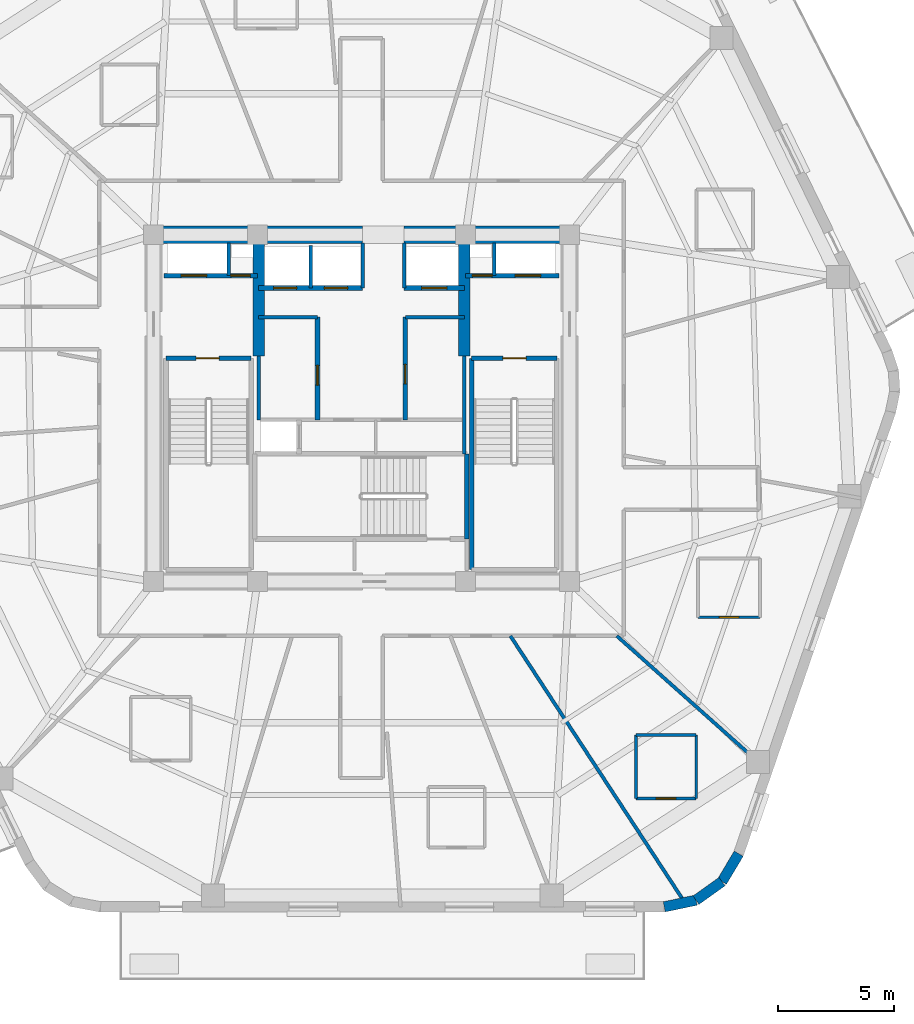
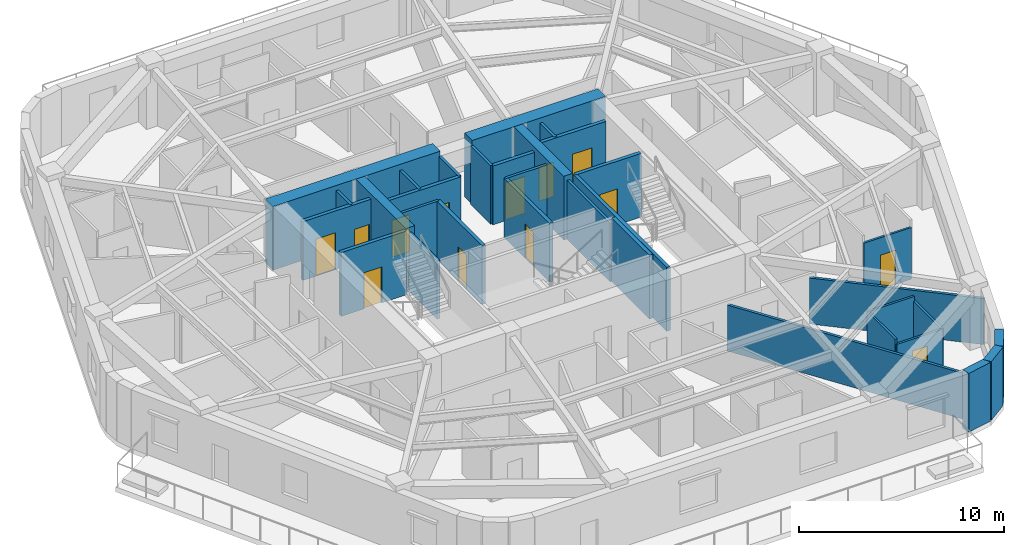
# One storey, part 4 of 10: 33 walls, 13 doors, 13 openings.
"""IFC4 building model written with IfcOpenShell, lengths in metres."""

from ifc_helpers import new_model, si_unit, direction, frame, frame_2d, origin, place, context, subcontext, project, spatial, rectangle, extrude, material, layer, layer_set, type_object, element, fill, save


model = new_model("IFC4")

# Units and contexts
model_context = context("Model", 3, precision=1e-05, world=origin(), true_north=direction((0.0, 1.0)))
body_context = subcontext(model_context, "Body", "Model", "MODEL_VIEW")
ifc_project = project(units=[si_unit("LENGTHUNIT", "METRE"), si_unit("AREAUNIT", "SQUARE_METRE"), si_unit("VOLUMEUNIT", "CUBIC_METRE"), si_unit("PLANEANGLEUNIT", "RADIAN"), si_unit("MASSUNIT", "GRAM", prefix="KILO")], contexts=[model_context])

# Site, building, storey
site_placement = place(None, origin())
site = spatial("IfcSite", under=ifc_project, at=site_placement, CompositionType="ELEMENT")
building_placement = place(site_placement, origin())
building = spatial("IfcBuilding", under=site, at=building_placement, Name="Kilnhurst Terrace Hotel", CompositionType="ELEMENT")
storey_placement = place(building_placement, frame((0.0, 0.0, 210.300048828125)))
storey = spatial("IfcBuildingStorey", under=building, at=storey_placement, Name="L52", CompositionType="ELEMENT", Elevation=210.300048828125)

# Walls
ifc_material_1 = material(Name="Precast concrete C40/50", Category="concrete")
ifc_layer_1 = layer(ifc_material_1, 0.449951171875, Name="Precast concrete C40/50")
ifc_layer_set_1 = layer_set([ifc_layer_1], Name="Precast concrete C40/50")
wall_type_1 = type_object("IfcWallType", Name="WL-BRK-450", PredefinedType="SOLIDWALL", material=ifc_layer_set_1)
wall_1_placement = place(storey_placement, frame((13.1015625, -21.574951171875, 0.0), z_axis=(0.0, 0.0, 1.0), x_axis=(0.978757421505, 0.205021730188, 0.0)))
element("IfcWall", 1, at=wall_1_placement, inside=storey, type_object=wall_type_1, Name="L52 Rounded Corner Brick Wall C2.1", PredefinedType="SOLIDWALL", context=body_context, shape_type="SweptSolid", body=[
    extrude(rectangle(XDim=1.40625, YDim=0.449951171875, at=frame_2d((0.703125, 0.0))), origin(), (0.0, 0.0, 1.0), 3.5),
])
wall_2_placement = place(storey_placement, frame((14.47802734375, -21.28662109375, 0.0), z_axis=(0.0, 0.0, 1.0), x_axis=(0.813888518617, 0.58102106611, 0.0)))
element("IfcWall", 2, at=wall_2_placement, inside=storey, type_object=wall_type_1, Name="L52 Rounded Corner Brick Wall C2.2", PredefinedType="SOLIDWALL", context=body_context, shape_type="SweptSolid", body=[
    extrude(rectangle(XDim=1.3828125, YDim=0.449951171875, at=frame_2d((0.69140625, 0.0))), origin(), (0.0, 0.0, 1.0), 3.5),
])
wall_3_placement = place(storey_placement, frame((15.603515625, -20.483154296875, 0.0), z_axis=(0.0, 0.0, 1.0), x_axis=(0.512222149036, 0.858852996756, 0.0)))
element("IfcWall", 3, at=wall_3_placement, inside=storey, type_object=wall_type_1, Name="L52 Rounded Corner Brick Wall C2.3", PredefinedType="SOLIDWALL", context=body_context, shape_type="SweptSolid", body=[
    extrude(rectangle(XDim=1.406494140625, YDim=0.449951171875, at=frame_2d((0.703125, 0.0))), origin(), (0.0, 0.0, 1.0), 3.5),
])
ifc_material_2 = material(Name="Concrete C60/75", Category="concrete")
ifc_layer_2 = layer(ifc_material_2, 0.75, Name="Concrete C60/75")
ifc_layer_set_2 = layer_set([ifc_layer_2], Name="Concrete C60/75")
wall_type_2 = type_object("IfcWallType", Name="WL-CORE-750", PredefinedType="SHEAR", material=ifc_layer_set_2)
wall_4_placement = place(storey_placement, frame((-9.375, 7.5, 0.0), z_axis=(0.0, 0.0, 1.0), x_axis=(1.0, 0.0, 0.0)))
element("IfcWall", 4, at=wall_4_placement, inside=storey, type_object=wall_type_2, Name="L52 Core North West Shear Wall", PredefinedType="SHEAR", context=body_context, shape_type="SweptSolid", body=[
    extrude(rectangle(XDim=9.425048828125, YDim=0.75, at=frame_2d((4.71240234375, 0.0))), origin(), (0.0, 0.0, 1.0), 3.800048828125),
])
wall_5_placement = place(storey_placement, frame((1.85009765625, 7.5, 0.0), z_axis=(0.0, 0.0, 1.0), x_axis=(1.0, 0.0, 0.0)))
element("IfcWall", 5, at=wall_5_placement, inside=storey, type_object=wall_type_2, Name="L52 Core North East Shear Wall", PredefinedType="SHEAR", context=body_context, shape_type="SweptSolid", body=[
    extrude(rectangle(XDim=7.52490234375, YDim=0.75, at=frame_2d((3.762451171875, 0.0))), origin(), (0.0, 0.0, 1.0), 3.800048828125),
])
ifc_layer_3 = layer(ifc_material_2, 0.5, Name="Concrete C60/75")
ifc_layer_set_3 = layer_set([ifc_layer_3], Name="Concrete C60/75")
wall_type_3 = type_object("IfcWallType", Name="WL-CORE-WEB-500", PredefinedType="SHEAR", material=ifc_layer_set_3)
for number, where, z_axis, x_axis, name in (
    (6, (-4.449951171875, 2.25, 0.0), (0.0, 0.0, 1.0), (0.0, 1.0, 0.0), "L52 Core Internal West Shear Web"),
    (7, (4.449951171875, 2.25, 0.0), (0.0, 0.0, 1.0), (0.0, 1.0, 0.0), "L52 Core Internal East Shear Web"),
):
    element("IfcWall", number, at=place(storey_placement, frame(where, z_axis=z_axis, x_axis=x_axis)), inside=storey, type_object=wall_type_3, Name=name, PredefinedType="SHEAR", context=body_context, shape_type="SweptSolid", body=[
        extrude(rectangle(XDim=4.875, YDim=0.5, at=frame_2d((2.4375, 0.0))), origin(), (0.0, 0.0, 1.0), 3.800048828125),
    ])
ifc_material_3 = material(Name="STC-58 Acoustic Twin-Frame Guestroom Demising Partition")
ifc_layer_4 = layer(ifc_material_3, 0.14990234375, Name="STC-58 Acoustic Twin-Frame Guestroom Demising Partition")
ifc_layer_set_4 = layer_set([ifc_layer_4], Name="STC-58 Acoustic Twin-Frame Guestroom Demising Partition")
wall_type_4 = type_object("IfcWallType", Name="WL-DEM-150", PredefinedType="PARTITIONING", material=ifc_layer_set_4)
wall_6_placement = place(storey_placement, frame((6.4443359375, -9.85009765625, 0.0), z_axis=(0.0, 0.0, 1.0), x_axis=(0.547492333129, -0.836810698525, 0.0)))
element("IfcWall", 8, at=wall_6_placement, inside=storey, type_object=wall_type_4, Name="L52 Interior Wall WL-L52-DEM-MID10-15-1", PredefinedType="PARTITIONING", context=body_context, shape_type="SweptSolid", body=[
    extrude(rectangle(XDim=13.6162109375, YDim=0.14990234375, at=frame_2d((6.80810546875, 0.0))), origin(), (0.0, 0.0, 1.0), 2.739990234375),
])
wall_7_placement = place(storey_placement, frame((11.04833984375, -9.85009765625, 0.0), z_axis=(0.0, 0.0, 1.0), x_axis=(0.746444434655, -0.665447748492, 0.0)))
element("IfcWall", 9, at=wall_7_placement, inside=storey, type_object=wall_type_4, Name="L52 Interior Wall WL-L52-DEM-COL11-16-1", PredefinedType="PARTITIONING", context=body_context, shape_type="SweptSolid", body=[
    extrude(rectangle(XDim=8.732177734375, YDim=0.14990234375, at=frame_2d((4.3662109375, 0.0))), origin(), (0.0, 0.0, 1.0), 2.739990234375),
])

# Wall, opening, door
ifc_material_4 = material(Name="120 mm Moisture-Resistant Tile-Backed Bathroom Partition")
ifc_layer_5 = layer(ifc_material_4, 0.1201171875, Name="120 mm Moisture-Resistant Tile-Backed Bathroom Partition")
ifc_layer_set_5 = layer_set([ifc_layer_5], Name="120 mm Moisture-Resistant Tile-Backed Bathroom Partition")
wall_type_5 = type_object("IfcWallType", Name="WL-PART-120", PredefinedType="PARTITIONING", material=ifc_layer_set_5)
wall_8_placement = place(storey_placement, frame((11.884033203125, -16.889892578125, 0.0), z_axis=(0.0, 0.0, 1.0), x_axis=(1.0, 0.0, 0.0)))
wall_8 = element("IfcWall", 10, at=wall_8_placement, inside=storey, type_object=wall_type_5, Name="L52 Interior Wall WL-L52-BTH-15-1", PredefinedType="PARTITIONING", context=body_context, shape_type="SweptSolid", body=[
    extrude(rectangle(XDim=2.599853515625, YDim=0.1201171875, at=frame_2d((1.2998046875, 0.0))), origin(), (0.0, 0.0, 1.0), 2.739990234375),
])
opening_1_placement = place(wall_8_placement, frame((0.875, 0.0, 0.0)))
opening_1 = element("IfcOpeningElement", 11, at=opening_1_placement, cuts=wall_8, Name="Opening D-08A", PredefinedType="OPENING", context=body_context, shape_type="SweptSolid", body=[
    extrude(rectangle(XDim=0.85009765625, YDim=2.030029296875, at=frame_2d((0.425048828125, 1.01513671875))), frame((0.0, 0.070068359375, 0.0), z_axis=(0.0, -1.0, 0.0), x_axis=(1.0, 0.0, 0.0)), (0.0, 0.0, 1.0), 0.14013671875),
])
ifc_material_5 = material(Name="Moisture-Resistant Lacquered En-suite Bathroom Door")
door_type_1 = type_object("IfcDoorType", Name="DR-INT-850", OperationType="NOTDEFINED", PredefinedType="DOOR", material=ifc_material_5)
door_1_placement = place(opening_1_placement, origin())
door_1 = element("IfcDoor", 12, at=door_1_placement, inside=storey, type_object=door_type_1, Name="L52 En-suite Bathroom Door 15", OperationType="SINGLE_SWING_RIGHT", OverallHeight=2.030029296875, OverallWidth=0.85009765625, PredefinedType="DOOR", context=body_context, shape_type="SweptSolid", body=[
    extrude(rectangle(XDim=0.85009765625, YDim=2.030029296875, at=frame_2d((0.425048828125, 1.01513671875))), frame((0.0, 0.02490234375, 0.0), z_axis=(0.0, -1.0, 0.0), x_axis=(1.0, 0.0, 0.0)), (0.0, 0.0, 1.0), 0.050048828125),
])
fill(opening_1, door_1)

# Walls
wall_9_placement = place(storey_placement, frame((14.48388671875, -16.889892578125, 0.0), z_axis=(0.0, 0.0, 1.0), x_axis=(0.0, 1.0, 0.0)))
element("IfcWall", 13, at=wall_9_placement, inside=storey, type_object=wall_type_5, Name="L52 Interior Wall WL-L52-BTH-15-2", PredefinedType="PARTITIONING", context=body_context, shape_type="SweptSolid", body=[
    extrude(rectangle(XDim=2.75, YDim=0.1201171875, at=frame_2d((1.375, 0.0))), origin(), (0.0, 0.0, 1.0), 2.739990234375),
])
wall_10_placement = place(storey_placement, frame((14.48388671875, -14.139892578125, 0.0), z_axis=(0.0, 0.0, 1.0), x_axis=(-1.0, 0.0, 0.0)))
element("IfcWall", 14, at=wall_10_placement, inside=storey, type_object=wall_type_5, Name="L52 Interior Wall WL-L52-BTH-15-3", PredefinedType="PARTITIONING", context=body_context, shape_type="SweptSolid", body=[
    extrude(rectangle(XDim=2.599853515625, YDim=0.1201171875, at=frame_2d((1.2998046875, 0.0))), origin(), (0.0, 0.0, 1.0), 3.0263671875),
])
wall_11_placement = place(storey_placement, frame((11.884033203125, -14.139892578125, 0.0), z_axis=(0.0, 0.0, 1.0), x_axis=(0.0, -1.0, 0.0)))
element("IfcWall", 15, at=wall_11_placement, inside=storey, type_object=wall_type_5, Name="L52 Interior Wall WL-L52-BTH-15-4", PredefinedType="PARTITIONING", context=body_context, shape_type="SweptSolid", body=[
    extrude(rectangle(XDim=2.75, YDim=0.1201171875, at=frame_2d((1.375, 0.0))), origin(), (0.0, 0.0, 1.0), 3.0263671875),
])

# Wall, opening, door
wall_12_placement = place(storey_placement, frame((14.568115234375, -9.044921875, 0.0), z_axis=(0.0, 0.0, 1.0), x_axis=(1.0, 0.0, 0.0)))
wall_12 = element("IfcWall", 16, at=wall_12_placement, inside=storey, type_object=wall_type_5, Name="L52 Interior Wall WL-L52-BTH-16-1", PredefinedType="PARTITIONING", context=body_context, shape_type="SweptSolid", body=[
    extrude(rectangle(XDim=2.679931640625, YDim=0.1201171875, at=frame_2d((1.33984375, 0.0))), origin(), (0.0, 0.0, 1.0), 3.072265625),
])
opening_2_placement = place(wall_12_placement, frame((0.9150390625, 0.0, 0.0)))
opening_2 = element("IfcOpeningElement", 17, at=opening_2_placement, cuts=wall_12, Name="Opening D-08A", PredefinedType="OPENING", context=body_context, shape_type="SweptSolid", body=[
    extrude(rectangle(XDim=0.85009765625, YDim=2.030029296875, at=frame_2d((0.425048828125, 1.01513671875))), frame((0.0, 0.070068359375, 0.0), z_axis=(0.0, -1.0, 0.0), x_axis=(1.0, 0.0, 0.0)), (0.0, 0.0, 1.0), 0.14013671875),
])
door_2_placement = place(opening_2_placement, origin())
door_2 = element("IfcDoor", 18, at=door_2_placement, inside=storey, type_object=door_type_1, Name="L52 En-suite Bathroom Door 16", OperationType="SINGLE_SWING_LEFT", OverallHeight=2.030029296875, OverallWidth=0.85009765625, PredefinedType="DOOR", context=body_context, shape_type="SweptSolid", body=[
    extrude(rectangle(XDim=0.85009765625, YDim=2.030029296875, at=frame_2d((0.425048828125, 1.01513671875))), frame((0.0, 0.02490234375, 0.0), z_axis=(0.0, -1.0, 0.0), x_axis=(1.0, 0.0, 0.0)), (0.0, 0.0, 1.0), 0.050048828125),
])
fill(opening_2, door_2)

# Walls
ifc_material_6 = material(Name="Fire-Rated Gypsum Shaftliner Assembly")
ifc_layer_6 = layer(ifc_material_6, 0.14990234375, Name="Fire-Rated Gypsum Shaftliner Assembly")
ifc_layer_set_6 = layer_set([ifc_layer_6], Name="Fire-Rated Gypsum Shaftliner Assembly")
wall_type_6 = type_object("IfcWallType", Name="WL-SHAFT-150", PredefinedType="PARTITIONING", material=ifc_layer_set_6)
for number, where, z_axis, x_axis, name in (
    (19, (-5.75, 5.739990234375, 0.0), (0.0, 0.0, 1.0), (0.0, 1.0, 0.0), "L52 Interior Wall WL-L52-RIS1-DIV"),
    (20, (5.75, 5.739990234375, 0.0), (0.0, 0.0, 1.0), (0.0, 1.0, 0.0), "L52 Interior Wall WL-L52-RIS2-DIV"),
):
    element("IfcWall", number, at=place(storey_placement, frame(where, z_axis=z_axis, x_axis=x_axis)), inside=storey, type_object=wall_type_6, Name=name, PredefinedType="PARTITIONING", context=body_context, shape_type="SweptSolid", body=[
        extrude(rectangle(XDim=1.409912109375, YDim=0.14990234375, at=frame_2d((0.705078125, 0.0))), origin(), (0.0, 0.0, 1.0), 3.5),
    ])
wall_13_placement = place(storey_placement, frame((-2.199951171875, 5.199951171875, 0.0), z_axis=(0.0, 0.0, 1.0), x_axis=(0.0, 1.0, 0.0)))
element("IfcWall", 21, at=wall_13_placement, inside=storey, type_object=wall_type_6, Name="L52 Interior Wall WL-L52-HR-DIV1", PredefinedType="PARTITIONING", context=body_context, shape_type="SweptSolid", body=[
    extrude(rectangle(XDim=1.85009765625, YDim=0.14990234375, at=frame_2d((0.925048828125, 0.0))), origin(), (0.0, 0.0, 1.0), 3.5),
])
for number, where, z_axis, x_axis, name in (
    (22, (0.050048828125, 5.199951171875, 0.0), (0.0, 0.0, 1.0), (0.0, 1.0, 0.0), "L52 Interior Wall WL-L52-HR-PORTAL-W"),
    (23, (1.85009765625, 5.199951171875, 0.0), (0.0, 0.0, 1.0), (0.0, 1.0, 0.0), "L52 Interior Wall WL-L52-HR-PORTAL-E"),
):
    element("IfcWall", number, at=place(storey_placement, frame(where, z_axis=z_axis, x_axis=x_axis)), inside=storey, type_object=wall_type_6, Name=name, PredefinedType="PARTITIONING", context=body_context, shape_type="SweptSolid", body=[
        extrude(rectangle(XDim=1.949951171875, YDim=0.14990234375, at=frame_2d((0.97509765625, 0.0))), origin(), (0.0, 0.0, 1.0), 3.5),
    ])
wall_14_placement = place(storey_placement, frame((-4.449951171875, -0.5, 0.0), z_axis=(0.0, 0.0, 1.0), x_axis=(0.0, 1.0, 0.0)))
element("IfcWall", 24, at=wall_14_placement, inside=storey, type_object=wall_type_6, Name="L52 Interior Wall WL-L52-XLOB-W", PredefinedType="PARTITIONING", context=body_context, shape_type="SweptSolid", body=[
    extrude(rectangle(XDim=2.75, YDim=0.14990234375, at=frame_2d((1.375, 0.0))), origin(), (0.0, 0.0, 1.0), 3.5),
])
wall_15_placement = place(storey_placement, frame((4.449951171875, -1.971923828125, 0.0), z_axis=(0.0, 0.0, 1.0), x_axis=(0.0, 1.0, 0.0)))
element("IfcWall", 25, at=wall_15_placement, inside=storey, type_object=wall_type_6, Name="L52 Interior Wall WL-L52-XLOB-E", PredefinedType="PARTITIONING", context=body_context, shape_type="SweptSolid", body=[
    extrude(rectangle(XDim=4.221923828125, YDim=0.14990234375, at=frame_2d((2.11083984375, 0.0))), origin(), (0.0, 0.0, 1.0), 3.5),
])
for number, where, z_axis, x_axis, name in (
    (26, (-4.449951171875, 3.93994140625, 0.0), (0.0, 0.0, 1.0), (1.0, 0.0, 0.0), "L52 Interior Wall WL-L52-LR-NORTH"),
    (27, (1.89990234375, 3.93994140625, 0.0), (0.0, 0.0, 1.0), (1.0, 0.0, 0.0), "L52 Interior Wall WL-L52-MR-NORTH"),
):
    element("IfcWall", number, at=place(storey_placement, frame(where, z_axis=z_axis, x_axis=x_axis)), inside=storey, type_object=wall_type_6, Name=name, PredefinedType="PARTITIONING", context=body_context, shape_type="SweptSolid", body=[
        extrude(rectangle(XDim=2.550048828125, YDim=0.14990234375, at=frame_2d((1.27490234375, 0.0))), origin(), (0.0, 0.0, 1.0), 3.5),
    ])

# Wall, openings, doors
ifc_material_7 = material(Name="Autoclaved Aerated Concrete C30/37 and Gypsum Shaft Assembly", Category="concrete")
ifc_layer_7 = layer(ifc_material_7, 0.199951171875, Name="Autoclaved Aerated Concrete C30/37 and Gypsum Shaft Assembly")
ifc_layer_set_7 = layer_set([ifc_layer_7], Name="Autoclaved Aerated Concrete C30/37 and Gypsum Shaft Assembly")
wall_type_7 = type_object("IfcWallType", Name="WL-SHAFT-200", PredefinedType="PARTITIONING", material=ifc_layer_set_7)
wall_16_placement = place(storey_placement, frame((-8.550048828125, 5.739990234375, 0.0), z_axis=(0.0, 0.0, 1.0), x_axis=(1.0, 0.0, 0.0)))
wall_16 = element("IfcWall", 28, at=wall_16_placement, inside=storey, type_object=wall_type_7, Name="L52 Interior Wall WL-L52-FSAE1-S", PredefinedType="PARTITIONING", context=body_context, shape_type="SweptSolid", body=[
    extrude(rectangle(XDim=4.050048828125, YDim=0.199951171875, at=frame_2d((2.02490234375, 0.0))), origin(), (0.0, 0.0, 1.0), 3.5),
])
opening_3_placement = place(wall_16_placement, frame((0.75, 0.0, 0.0)))
opening_3 = element("IfcOpeningElement", 29, at=opening_3_placement, cuts=wall_16, Name="Opening LD-F1", PredefinedType="OPENING", context=body_context, shape_type="SweptSolid", body=[
    extrude(rectangle(XDim=1.10009765625, YDim=2.199951171875, at=frame_2d((0.550048828125, 1.10009765625))), frame((0.0, 0.10986328125, 0.0), z_axis=(0.0, -1.0, 0.0), x_axis=(1.0, 0.0, 0.0)), (0.0, 0.0, 1.0), 0.219970703125),
])
opening_4_placement = place(wall_16_placement, frame((2.89990234375, 0.0, 0.0)))
opening_4 = element("IfcOpeningElement", 30, at=opening_4_placement, cuts=wall_16, Name="Opening D-60D", PredefinedType="OPENING", context=body_context, shape_type="SweptSolid", body=[
    extrude(rectangle(XDim=0.85009765625, YDim=2.030029296875, at=frame_2d((0.425048828125, 1.01513671875))), frame((0.0, 0.10986328125, 0.0), z_axis=(0.0, -1.0, 0.0), x_axis=(1.0, 0.0, 0.0)), (0.0, 0.0, 1.0), 0.219970703125),
])
ifc_material_8 = material(Name="Painted Hollow Metal Steel ASTM A36 Riser Door", Category="steel")
door_type_2 = type_object("IfcDoorType", Name="DR-FD60-850", OperationType="NOTDEFINED", PredefinedType="DOOR", material=ifc_material_8)
door_3_placement = place(opening_4_placement, origin())
door_3 = element("IfcDoor", 31, at=door_3_placement, inside=storey, type_object=door_type_2, Name="L52 Electrical Riser Door", OperationType="SINGLE_SWING_LEFT", OverallHeight=2.030029296875, OverallWidth=0.85009765625, PredefinedType="DOOR", context=body_context, shape_type="SweptSolid", body=[
    extrude(rectangle(XDim=0.85009765625, YDim=2.030029296875, at=frame_2d((0.425048828125, 1.01513671875))), frame((0.0, 0.02490234375, 0.0), z_axis=(0.0, -1.0, 0.0), x_axis=(1.0, 0.0, 0.0)), (0.0, 0.0, 1.0), 0.050048828125),
])
fill(opening_4, door_3)
ifc_material_9 = material(Name="Bronze-Anodized Stainless Steel AISI 316L Sliding Door", Category="steel")
door_type_3 = type_object("IfcDoorType", Name="DR-LIFT-1100", OperationType="NOTDEFINED", PredefinedType="DOOR", material=ifc_material_9)
door_4_placement = place(opening_3_placement, origin())
door_4 = element("IfcDoor", 32, at=door_4_placement, inside=storey, type_object=door_type_3, Name="L52 FSAE-1 Landing Door", OperationType="SLIDING_TO_LEFT", OverallHeight=2.199951171875, OverallWidth=1.10009765625, PredefinedType="DOOR", context=body_context, shape_type="SweptSolid", body=[
    extrude(rectangle(XDim=1.10009765625, YDim=2.199951171875, at=frame_2d((0.550048828125, 1.10009765625))), frame((0.0, 0.02490234375, 0.0), z_axis=(0.0, -1.0, 0.0), x_axis=(1.0, 0.0, 0.0)), (0.0, 0.0, 1.0), 0.050048828125),
])
fill(opening_3, door_4)

wall_17_placement = place(storey_placement, frame((4.5, 5.739990234375, 0.0), z_axis=(0.0, 0.0, 1.0), x_axis=(1.0, 0.0, 0.0)))
wall_17 = element("IfcWall", 33, at=wall_17_placement, inside=storey, type_object=wall_type_7, Name="L52 Interior Wall WL-L52-FSAE2-S", PredefinedType="PARTITIONING", context=body_context, shape_type="SweptSolid", body=[
    extrude(rectangle(XDim=4.050048828125, YDim=0.199951171875, at=frame_2d((2.02490234375, 0.0))), origin(), (0.0, 0.0, 1.0), 3.5),
])
opening_5_placement = place(wall_17_placement, frame((0.300048828125, 0.0, 0.0)))
opening_5 = element("IfcOpeningElement", 34, at=opening_5_placement, cuts=wall_17, Name="Opening D-60D", PredefinedType="OPENING", context=body_context, shape_type="SweptSolid", body=[
    extrude(rectangle(XDim=0.85009765625, YDim=2.030029296875, at=frame_2d((0.425048828125, 1.01513671875))), frame((0.0, 0.10986328125, 0.0), z_axis=(0.0, -1.0, 0.0), x_axis=(1.0, 0.0, 0.0)), (0.0, 0.0, 1.0), 0.219970703125),
])
opening_6_placement = place(wall_17_placement, frame((2.14990234375, 0.0, 0.0)))
opening_6 = element("IfcOpeningElement", 35, at=opening_6_placement, cuts=wall_17, Name="Opening LD-F2", PredefinedType="OPENING", context=body_context, shape_type="SweptSolid", body=[
    extrude(rectangle(XDim=1.10009765625, YDim=2.199951171875, at=frame_2d((0.550048828125, 1.10009765625))), frame((0.0, 0.10986328125, 0.0), z_axis=(0.0, -1.0, 0.0), x_axis=(1.0, 0.0, 0.0)), (0.0, 0.0, 1.0), 0.219970703125),
])
door_5_placement = place(opening_5_placement, origin())
door_5 = element("IfcDoor", 36, at=door_5_placement, inside=storey, type_object=door_type_2, Name="L52 Telecom Riser Door", OperationType="SINGLE_SWING_RIGHT", OverallHeight=2.030029296875, OverallWidth=0.85009765625, PredefinedType="DOOR", context=body_context, shape_type="SweptSolid", body=[
    extrude(rectangle(XDim=0.85009765625, YDim=2.030029296875, at=frame_2d((0.425048828125, 1.01513671875))), frame((0.0, 0.02490234375, 0.0), z_axis=(0.0, -1.0, 0.0), x_axis=(1.0, 0.0, 0.0)), (0.0, 0.0, 1.0), 0.050048828125),
])
fill(opening_5, door_5)
door_6_placement = place(opening_6_placement, origin())
door_6 = element("IfcDoor", 37, at=door_6_placement, inside=storey, type_object=door_type_3, Name="L52 FSAE-2 Landing Door", OperationType="SLIDING_TO_RIGHT", OverallHeight=2.199951171875, OverallWidth=1.10009765625, PredefinedType="DOOR", context=body_context, shape_type="SweptSolid", body=[
    extrude(rectangle(XDim=1.10009765625, YDim=2.199951171875, at=frame_2d((0.550048828125, 1.10009765625))), frame((0.0, 0.02490234375, 0.0), z_axis=(0.0, -1.0, 0.0), x_axis=(1.0, 0.0, 0.0)), (0.0, 0.0, 1.0), 0.050048828125),
])
fill(opening_6, door_6)

wall_18_placement = place(storey_placement, frame((-4.449951171875, 5.199951171875, 0.0), z_axis=(0.0, 0.0, 1.0), x_axis=(1.0, 0.0, 0.0)))
wall_18 = element("IfcWall", 38, at=wall_18_placement, inside=storey, type_object=wall_type_7, Name="L52 Interior Wall WL-L52-HR-SW", PredefinedType="PARTITIONING", context=body_context, shape_type="SweptSolid", body=[
    extrude(rectangle(XDim=4.5, YDim=0.199951171875, at=frame_2d((2.25, 0.0))), origin(), (0.0, 0.0, 1.0), 3.5),
])
opening_7_placement = place(wall_18_placement, frame((0.64990234375, 0.0, 0.0)))
opening_7 = element("IfcOpeningElement", 39, at=opening_7_placement, cuts=wall_18, Name="Opening LD-HR", PredefinedType="OPENING", context=body_context, shape_type="SweptSolid", body=[
    extrude(rectangle(XDim=1.0, YDim=2.199951171875, at=frame_2d((0.5, 1.10009765625))), frame((0.0, 0.10986328125, 0.0), z_axis=(0.0, -1.0, 0.0), x_axis=(1.0, 0.0, 0.0)), (0.0, 0.0, 1.0), 0.219970703125),
])
opening_8_placement = place(wall_18_placement, frame((2.85009765625, 0.0, 0.0)))
opening_8 = element("IfcOpeningElement", 40, at=opening_8_placement, cuts=wall_18, Name="Opening LD-HS", PredefinedType="OPENING", context=body_context, shape_type="SweptSolid", body=[
    extrude(rectangle(XDim=1.0, YDim=2.199951171875, at=frame_2d((0.5, 1.10009765625))), frame((0.0, 0.10986328125, 0.0), z_axis=(0.0, -1.0, 0.0), x_axis=(1.0, 0.0, 0.0)), (0.0, 0.0, 1.0), 0.219970703125),
])
door_type_4 = type_object("IfcDoorType", Name="DR-LIFT-1000", OperationType="NOTDEFINED", PredefinedType="DOOR", material=ifc_material_9)
door_7_placement = place(opening_7_placement, origin())
door_7 = element("IfcDoor", 41, at=door_7_placement, inside=storey, type_object=door_type_4, Name="L52 High Rise Lift HR-1 Landing Door", OperationType="SLIDING_TO_LEFT", OverallHeight=2.199951171875, OverallWidth=1.0, PredefinedType="DOOR", context=body_context, shape_type="SweptSolid", body=[
    extrude(rectangle(XDim=1.0, YDim=2.199951171875, at=frame_2d((0.5, 1.10009765625))), frame((0.0, 0.02490234375, 0.0), z_axis=(0.0, -1.0, 0.0), x_axis=(1.0, 0.0, 0.0)), (0.0, 0.0, 1.0), 0.050048828125),
])
fill(opening_7, door_7)
door_8_placement = place(opening_8_placement, origin())
door_8 = element("IfcDoor", 42, at=door_8_placement, inside=storey, type_object=door_type_4, Name="L52 High Rise Lift HR-3 Landing Door", OperationType="SLIDING_TO_RIGHT", OverallHeight=2.199951171875, OverallWidth=1.0, PredefinedType="DOOR", context=body_context, shape_type="SweptSolid", body=[
    extrude(rectangle(XDim=1.0, YDim=2.199951171875, at=frame_2d((0.5, 1.10009765625))), frame((0.0, 0.02490234375, 0.0), z_axis=(0.0, -1.0, 0.0), x_axis=(1.0, 0.0, 0.0)), (0.0, 0.0, 1.0), 0.050048828125),
])
fill(opening_8, door_8)

# Wall, opening, door
wall_19_placement = place(storey_placement, frame((1.85009765625, 5.199951171875, 0.0), z_axis=(0.0, 0.0, 1.0), x_axis=(1.0, 0.0, 0.0)))
wall_19 = element("IfcWall", 43, at=wall_19_placement, inside=storey, type_object=wall_type_7, Name="L52 Interior Wall WL-L52-HR-SE", PredefinedType="PARTITIONING", context=body_context, shape_type="SweptSolid", body=[
    extrude(rectangle(XDim=2.599853515625, YDim=0.199951171875, at=frame_2d((1.2998046875, 0.0))), origin(), (0.0, 0.0, 1.0), 3.5),
])
opening_9_placement = place(wall_19_placement, frame((0.75, 0.0, 0.0)))
opening_9 = element("IfcOpeningElement", 44, at=opening_9_placement, cuts=wall_19, Name="Opening LD-H2", PredefinedType="OPENING", context=body_context, shape_type="SweptSolid", body=[
    extrude(rectangle(XDim=1.10009765625, YDim=2.199951171875, at=frame_2d((0.550048828125, 1.10009765625))), frame((0.0, 0.10986328125, 0.0), z_axis=(0.0, -1.0, 0.0), x_axis=(1.0, 0.0, 0.0)), (0.0, 0.0, 1.0), 0.219970703125),
])
door_9_placement = place(opening_9_placement, origin())
door_9 = element("IfcDoor", 45, at=door_9_placement, inside=storey, type_object=door_type_3, Name="L52 High Rise Lift HR-2 Landing Door", OperationType="SLIDING_TO_RIGHT", OverallHeight=2.199951171875, OverallWidth=1.10009765625, PredefinedType="DOOR", context=body_context, shape_type="SweptSolid", body=[
    extrude(rectangle(XDim=1.10009765625, YDim=2.199951171875, at=frame_2d((0.550048828125, 1.10009765625))), frame((0.0, 0.02490234375, 0.0), z_axis=(0.0, -1.0, 0.0), x_axis=(1.0, 0.0, 0.0)), (0.0, 0.0, 1.0), 0.050048828125),
])
fill(opening_9, door_9)

wall_20_placement = place(storey_placement, frame((-1.89990234375, -0.5, 0.0), z_axis=(0.0, 0.0, 1.0), x_axis=(0.0, 1.0, 0.0)))
wall_20 = element("IfcWall", 46, at=wall_20_placement, inside=storey, type_object=wall_type_7, Name="L52 Interior Wall WL-L52-LR-FRONT", PredefinedType="PARTITIONING", context=body_context, shape_type="SweptSolid", body=[
    extrude(rectangle(XDim=4.43994140625, YDim=0.199951171875, at=frame_2d((2.219970703125, 0.0))), origin(), (0.0, 0.0, 1.0), 3.5),
])
opening_10_placement = place(wall_20_placement, frame((1.5, 0.0, 0.0)))
opening_10 = element("IfcOpeningElement", 47, at=opening_10_placement, cuts=wall_20, Name="Opening D-60D", PredefinedType="OPENING", context=body_context, shape_type="SweptSolid", body=[
    extrude(rectangle(XDim=0.85009765625, YDim=2.030029296875, at=frame_2d((0.425048828125, 1.01513671875))), frame((0.0, 0.10986328125, 0.0), z_axis=(0.0, -1.0, 0.0), x_axis=(1.0, 0.0, 0.0)), (0.0, 0.0, 1.0), 0.219970703125),
])
door_10_placement = place(opening_10_placement, origin())
door_10 = element("IfcDoor", 48, at=door_10_placement, inside=storey, type_object=door_type_2, Name="L52 Reclaimed Linen Room Door", OperationType="SINGLE_SWING_LEFT", OverallHeight=2.030029296875, OverallWidth=0.85009765625, PredefinedType="DOOR", context=body_context, shape_type="SweptSolid", body=[
    extrude(rectangle(XDim=0.85009765625, YDim=2.030029296875, at=frame_2d((0.425048828125, 1.01513671875))), frame((0.0, 0.02490234375, 0.0), z_axis=(0.0, -1.0, 0.0), x_axis=(1.0, 0.0, 0.0)), (0.0, 0.0, 1.0), 0.050048828125),
])
fill(opening_10, door_10)

wall_21_placement = place(storey_placement, frame((1.89990234375, -0.5, 0.0), z_axis=(0.0, 0.0, 1.0), x_axis=(0.0, 1.0, 0.0)))
wall_21 = element("IfcWall", 49, at=wall_21_placement, inside=storey, type_object=wall_type_7, Name="L52 Interior Wall WL-L52-MR-FRONT", PredefinedType="PARTITIONING", context=body_context, shape_type="SweptSolid", body=[
    extrude(rectangle(XDim=4.43994140625, YDim=0.199951171875, at=frame_2d((2.219970703125, 0.0))), origin(), (0.0, 0.0, 1.0), 3.5),
])
opening_11_placement = place(wall_21_placement, frame((1.550048828125, 0.0, 0.0)))
opening_11 = element("IfcOpeningElement", 50, at=opening_11_placement, cuts=wall_21, Name="Opening D-60D", PredefinedType="OPENING", context=body_context, shape_type="SweptSolid", body=[
    extrude(rectangle(XDim=0.85009765625, YDim=2.030029296875, at=frame_2d((0.425048828125, 1.01513671875))), frame((0.0, 0.10986328125, 0.0), z_axis=(0.0, -1.0, 0.0), x_axis=(1.0, 0.0, 0.0)), (0.0, 0.0, 1.0), 0.219970703125),
])
door_11_placement = place(opening_11_placement, origin())
door_11 = element("IfcDoor", 51, at=door_11_placement, inside=storey, type_object=door_type_2, Name="L52 Staff Accessible Restroom Door", OperationType="SINGLE_SWING_RIGHT", OverallHeight=2.030029296875, OverallWidth=0.85009765625, PredefinedType="DOOR", context=body_context, shape_type="SweptSolid", body=[
    extrude(rectangle(XDim=0.85009765625, YDim=2.030029296875, at=frame_2d((0.425048828125, 1.01513671875))), frame((0.0, 0.02490234375, 0.0), z_axis=(0.0, -1.0, 0.0), x_axis=(1.0, 0.0, 0.0)), (0.0, 0.0, 1.0), 0.050048828125),
])
fill(opening_11, door_11)

ifc_material_10 = material(Name="Concrete C50/60", Category="concrete")
ifc_layer_8 = layer(ifc_material_10, 0.199951171875, Name="Concrete C50/60")
ifc_layer_set_8 = layer_set([ifc_layer_8], Name="Concrete C50/60")
wall_type_8 = type_object("IfcWallType", Name="WL-STAIR-RC-200", PredefinedType="SHEAR", material=ifc_layer_set_8)
wall_22_placement = place(storey_placement, frame((-8.4580078125, 2.157958984375, 0.0), z_axis=(0.0, 0.0, 1.0), x_axis=(1.0, 0.0, 0.0)))
wall_22 = element("IfcWall", 52, at=wall_22_placement, inside=storey, type_object=wall_type_8, Name="L52 Structural Stair Shaft Wall WL-L52-ST1-N", PredefinedType="SHEAR", context=body_context, shape_type="SweptSolid", body=[
    extrude(rectangle(XDim=3.68603515625, YDim=0.199951171875, at=frame_2d((1.843017578125, 0.0))), origin(), (0.0, 0.0, 1.0), 3.800048828125),
])
opening_12_placement = place(wall_22_placement, frame((1.300048828125, 0.0, 0.0)))
opening_12 = element("IfcOpeningElement", 53, at=opening_12_placement, cuts=wall_22, Name="Opening D-90B", PredefinedType="OPENING", context=body_context, shape_type="SweptSolid", body=[
    extrude(rectangle(XDim=1.0, YDim=2.14990234375, at=frame_2d((0.5, 1.074951171875))), frame((0.0, 0.10986328125, 0.0), z_axis=(0.0, -1.0, 0.0), x_axis=(1.0, 0.0, 0.0)), (0.0, 0.0, 1.0), 0.219970703125),
])
ifc_material_11 = material(Name="Painted Hollow Metal Steel ASTM A36 Fire Door", Category="steel")
door_type_5 = type_object("IfcDoorType", Name="DR-FD90-1000", OperationType="NOTDEFINED", PredefinedType="DOOR", material=ifc_material_11)
door_12_placement = place(opening_12_placement, origin())
door_12 = element("IfcDoor", 54, at=door_12_placement, inside=storey, type_object=door_type_5, Name="L52 Stair ST-1 Door", OperationType="SINGLE_SWING_LEFT", OverallHeight=2.14990234375, OverallWidth=1.0, PredefinedType="DOOR", context=body_context, shape_type="SweptSolid", body=[
    extrude(rectangle(XDim=1.0, YDim=2.14990234375, at=frame_2d((0.5, 1.074951171875))), frame((0.0, 0.02490234375, 0.0), z_axis=(0.0, -1.0, 0.0), x_axis=(1.0, 0.0, 0.0)), (0.0, 0.0, 1.0), 0.050048828125),
])
fill(opening_12, door_12)

# Wall
wall_23_placement = place(storey_placement, frame((4.77197265625, -6.985107421875, 0.0), z_axis=(0.0, 0.0, 1.0), x_axis=(0.0, 1.0, 0.0)))
element("IfcWall", 55, at=wall_23_placement, inside=storey, type_object=wall_type_8, Name="L52 Structural Stair Shaft Wall WL-L52-ST2-W", PredefinedType="SHEAR", context=body_context, shape_type="SweptSolid", body=[
    extrude(rectangle(XDim=9.14306640625, YDim=0.199951171875, at=frame_2d((4.571533203125, 0.0))), origin(), (0.0, 0.0, 1.0), 3.800048828125),
])

# Wall, opening, door
wall_24_placement = place(storey_placement, frame((4.77197265625, 2.157958984375, 0.0), z_axis=(0.0, 0.0, 1.0), x_axis=(1.0, 0.0, 0.0)))
wall_24 = element("IfcWall", 56, at=wall_24_placement, inside=storey, type_object=wall_type_8, Name="L52 Structural Stair Shaft Wall WL-L52-ST2-N", PredefinedType="SHEAR", context=body_context, shape_type="SweptSolid", body=[
    extrude(rectangle(XDim=3.68603515625, YDim=0.199951171875, at=frame_2d((1.843017578125, 0.0))), origin(), (0.0, 0.0, 1.0), 3.800048828125),
])
opening_13_placement = place(wall_24_placement, frame((1.35009765625, 0.0, 0.0)))
opening_13 = element("IfcOpeningElement", 57, at=opening_13_placement, cuts=wall_24, Name="Opening D-90B", PredefinedType="OPENING", context=body_context, shape_type="SweptSolid", body=[
    extrude(rectangle(XDim=1.0, YDim=2.14990234375, at=frame_2d((0.5, 1.074951171875))), frame((0.0, 0.10986328125, 0.0), z_axis=(0.0, -1.0, 0.0), x_axis=(1.0, 0.0, 0.0)), (0.0, 0.0, 1.0), 0.219970703125),
])
door_13_placement = place(opening_13_placement, origin())
door_13 = element("IfcDoor", 58, at=door_13_placement, inside=storey, type_object=door_type_5, Name="L52 Stair ST-2 Door", OperationType="SINGLE_SWING_RIGHT", OverallHeight=2.14990234375, OverallWidth=1.0, PredefinedType="DOOR", context=body_context, shape_type="SweptSolid", body=[
    extrude(rectangle(XDim=1.0, YDim=2.14990234375, at=frame_2d((0.5, 1.074951171875))), frame((0.0, 0.02490234375, 0.0), z_axis=(0.0, -1.0, 0.0), x_axis=(1.0, 0.0, 0.0)), (0.0, 0.0, 1.0), 0.050048828125),
])
fill(opening_13, door_13)

# Wall
wall_25_placement = place(storey_placement, frame((4.55810546875, -5.657958984375, 0.0), z_axis=(0.0, 0.0, 1.0), x_axis=(0.0, 1.0, 0.0)))
element("IfcWall", 59, at=wall_25_placement, inside=storey, type_object=wall_type_8, Name="L52 Structural Stair Shaft Wall WL-L52-ST3-E", PredefinedType="SHEAR", context=body_context, shape_type="SweptSolid", body=[
    extrude(rectangle(XDim=3.68603515625, YDim=0.199951171875, at=frame_2d((1.843017578125, 0.0))), origin(), (0.0, 0.0, 1.0), 3.800048828125),
])

save(model, "model.ifc")
